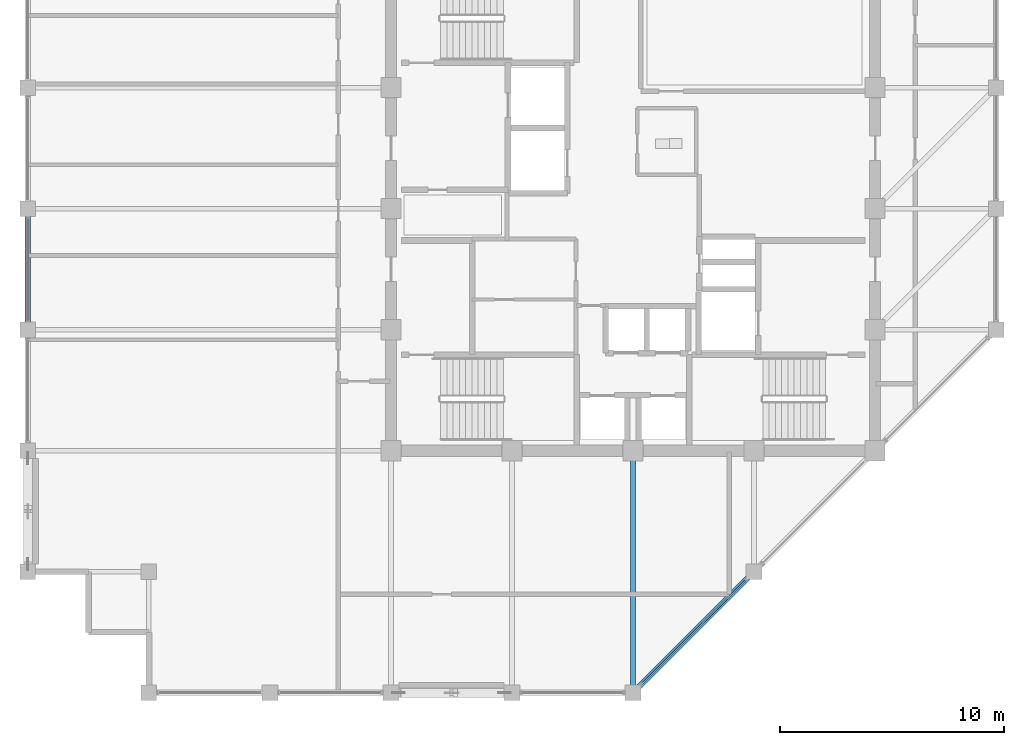
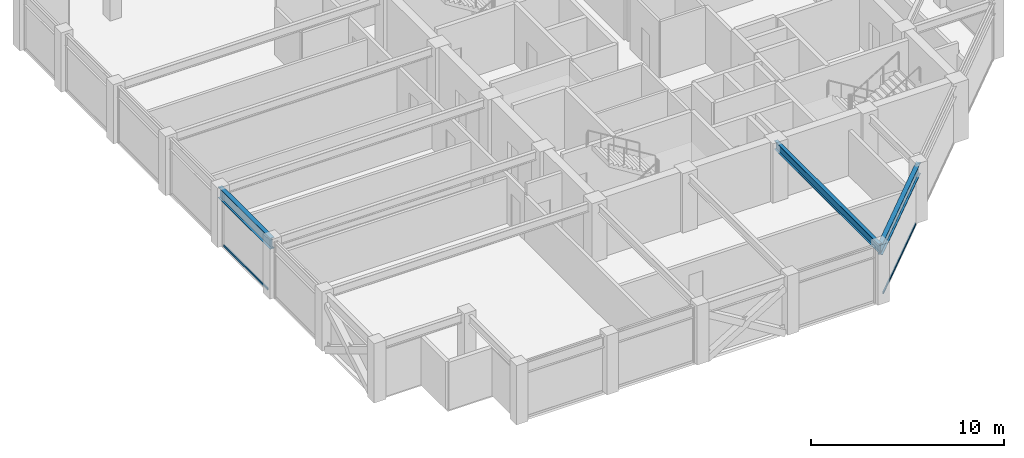
# One storey, part 7 of 30: 3 beams, 2 members, 2 elements without a shape of their own.
"""IFC4 building model written with IfcOpenShell, lengths in metres."""

from ifc_helpers import new_model, si_unit, direction, frame, origin, origin_2d, place, context, subcontext, project, spatial, hollow_rectangle, i_section, extrude, material, layer, layer_set, material_profile, profile_set, type_object, element, aggregate, save


model = new_model("IFC4")

# Units and contexts
model_context = context("Model", 3, precision=1e-05, world=origin(), true_north=direction((0.0, 1.0)))
body_context = subcontext(model_context, "Body", "Model", "MODEL_VIEW")
ifc_project = project(units=[si_unit("LENGTHUNIT", "METRE"), si_unit("AREAUNIT", "SQUARE_METRE"), si_unit("VOLUMEUNIT", "CUBIC_METRE"), si_unit("PLANEANGLEUNIT", "RADIAN"), si_unit("MASSUNIT", "GRAM", prefix="KILO")], contexts=[model_context])

# Site, building, storey
site_placement = place(None, origin())
site = spatial("IfcSite", under=ifc_project, at=site_placement, CompositionType="ELEMENT")
building_placement = place(site_placement, origin())
building = spatial("IfcBuilding", under=site, at=building_placement, Name="Surkhivell Harbour Commons", CompositionType="ELEMENT")
storey_placement = place(building_placement, frame((0.0, 0.0, 296.25)))
storey = spatial("IfcBuildingStorey", under=building, at=storey_placement, Name="L77", CompositionType="ELEMENT", Elevation=296.25)

# Beams
ifc_material_1 = material(Name="Steel S355", Category="steel")
ifc_material_profile_1 = material_profile(ifc_material_1, i_section(OverallWidth=0.2099609375, OverallDepth=0.537109375, WebThickness=0.0107421875, FlangeThickness=0.017333984375, at=origin_2d()), Name="UB533x210x101")
ifc_profile_set_1 = profile_set([ifc_material_profile_1], Name="Steel S355")
beam_type_1 = type_object("IfcBeamType", Name="BM-GRD-533B", PredefinedType="BEAM", material=ifc_profile_set_1)
beam_1_placement = place(storey_placement, frame((0.0, -21.60009765625, 3.301513671875), z_axis=(0.0, 1.0, 0.0), x_axis=(-1.0, 0.0, 0.0)))
element("IfcBeam", 1, at=beam_1_placement, inside=storey, type_object=beam_type_1, Name="L77 Floor Girder (0.0,-21.6)", PredefinedType="BEAM", context=body_context, shape_type="SweptSolid", body=[
    extrude(i_section(OverallWidth=0.2099609375, OverallDepth=0.537109375, WebThickness=0.0107421875, FlangeThickness=0.017333984375, at=origin_2d()), origin(), (0.0, 0.0, 1.0), 10.800048828125),
])
ifc_material_profile_2 = material_profile(ifc_material_1, i_section(OverallWidth=0.256103515625, OverallDepth=0.693115234375, WebThickness=0.014404296875, FlangeThickness=0.023681640625, at=origin_2d()), Name="UB686x254x170")
ifc_profile_set_2 = profile_set([ifc_material_profile_2], Name="Steel S355")
beam_type_2 = type_object("IfcBeamType", Name="BM-SPN-686", PredefinedType="SPANDREL", material=ifc_profile_set_2)
beam_2_placement = place(storey_placement, frame((-27.0, -5.39990234375, 3.223388671875), z_axis=(0.0, 1.0, 0.0), x_axis=(-1.0, 0.0, 0.0)))
element("IfcBeam", 2, at=beam_2_placement, inside=storey, type_object=beam_type_2, Name="L77 Tube Spandrel (-27.0,-5.4)", PredefinedType="SPANDREL", context=body_context, shape_type="SweptSolid", body=[
    extrude(i_section(OverallWidth=0.256103515625, OverallDepth=0.693115234375, WebThickness=0.014404296875, FlangeThickness=0.023681640625, at=origin_2d()), origin(), (0.0, 0.0, 1.0), 5.39990234375),
])
beam_3_placement = place(storey_placement, frame((0.0, -21.60009765625, 3.223388671875), z_axis=(0.707090796496, 0.707122765516, 0.0), x_axis=(-0.707122765516, 0.707090796496, 0.0)))
element("IfcBeam", 3, at=beam_3_placement, inside=storey, type_object=beam_type_2, Name="L77 Tube Spandrel (-0.0,-21.6)", PredefinedType="SPANDREL", context=body_context, shape_type="SweptSolid", body=[
    extrude(i_section(OverallWidth=0.256103515625, OverallDepth=0.693115234375, WebThickness=0.014404296875, FlangeThickness=0.023681640625, at=origin_2d()), origin(), (0.0, 0.0, 1.0), 7.63671875),
])

# Curtain wall, member
ifc_material_2 = material(Name="Anodised pale-metal aluminium and insulated glazing", Category="aluminium")
ifc_layer = layer(ifc_material_2, 0.175048828125)
ifc_layer_set = layer_set([ifc_layer], Name="Anodised pale-metal aluminium and insulated glazing")
curtain_wall_type = type_object("IfcCurtainWallType", Name="CW-SYS-Z4", PredefinedType="NOTDEFINED", material=ifc_layer_set)
curtain_wall_1_placement = place(storey_placement, origin())
curtain_wall_1 = element("IfcCurtainWall", 4, at=curtain_wall_1_placement, inside=storey, type_object=curtain_wall_type, Name="L77 Curtain Wall CW-L77-E01", PredefinedType="NOTDEFINED")
ifc_material_3 = material(Name="Champagne anodised aluminium alloy 6063-T6", Category="aluminium")
ifc_material_profile_3 = material_profile(ifc_material_3, hollow_rectangle(XDim=0.070068359375, YDim=0.1298828125, WallThickness=0.00341796875, at=origin_2d()), Name="ALU-TRAN-70x130")
ifc_profile_set_3 = profile_set([ifc_material_profile_3], Name="Champagne anodised aluminium alloy 6063-T6")
member_type = type_object("IfcMemberType", Name="CWT-130", PredefinedType="USERDEFINED", material=ifc_profile_set_3)
member_1_placement = place(storey_placement, frame((0.404541015625, -21.1953125, 0.06494140625), z_axis=(0.707125583467, 0.707087978406, 0.0), x_axis=(-0.707087978406, 0.707125583467, 0.0)))
member_1 = element("IfcMember", 5, at=member_1_placement, type_object=member_type, Name="CW-Z4 transom 1.1", ObjectType="TRANSOM", PredefinedType="USERDEFINED", context=body_context, shape_type="SweptSolid", body=[
    extrude(hollow_rectangle(XDim=0.070068359375, YDim=0.1298828125, WallThickness=0.00341796875, at=origin_2d()), origin(), (0.0, 0.0, 1.0), 6.4921875),
])
aggregate(curtain_wall_1, [member_1])

curtain_wall_2_placement = place(storey_placement, origin())
curtain_wall_2 = element("IfcCurtainWall", 6, at=curtain_wall_2_placement, inside=storey, type_object=curtain_wall_type, Name="L77 Curtain Wall CW-L77-E12S1", PredefinedType="NOTDEFINED")
member_2_placement = place(storey_placement, frame((-27.0, -0.427001953125, 0.06494140625), z_axis=(0.0, -1.0, 0.0), x_axis=(1.0, 0.0, 0.0)))
member_2 = element("IfcMember", 7, at=member_2_placement, type_object=member_type, Name="CW-Z4 transom 5.1", ObjectType="TRANSOM", PredefinedType="USERDEFINED", context=body_context, shape_type="SweptSolid", body=[
    extrude(hollow_rectangle(XDim=0.070068359375, YDim=0.1298828125, WallThickness=0.00341796875, at=origin_2d()), origin(), (0.0, 0.0, 1.0), 4.5458984375),
])
aggregate(curtain_wall_2, [member_2])

save(model, "model.ifc")
